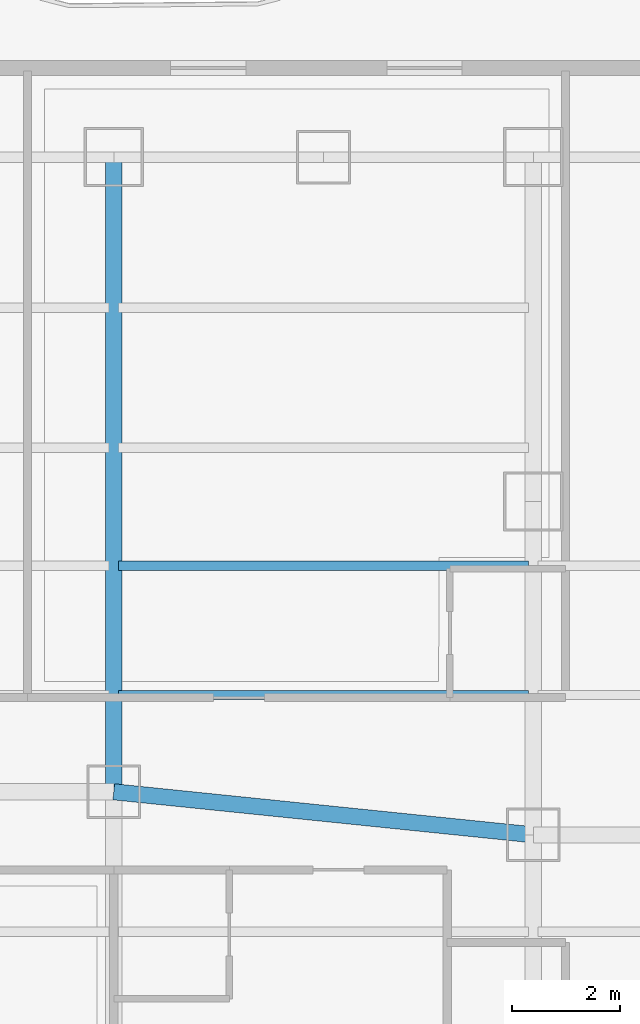
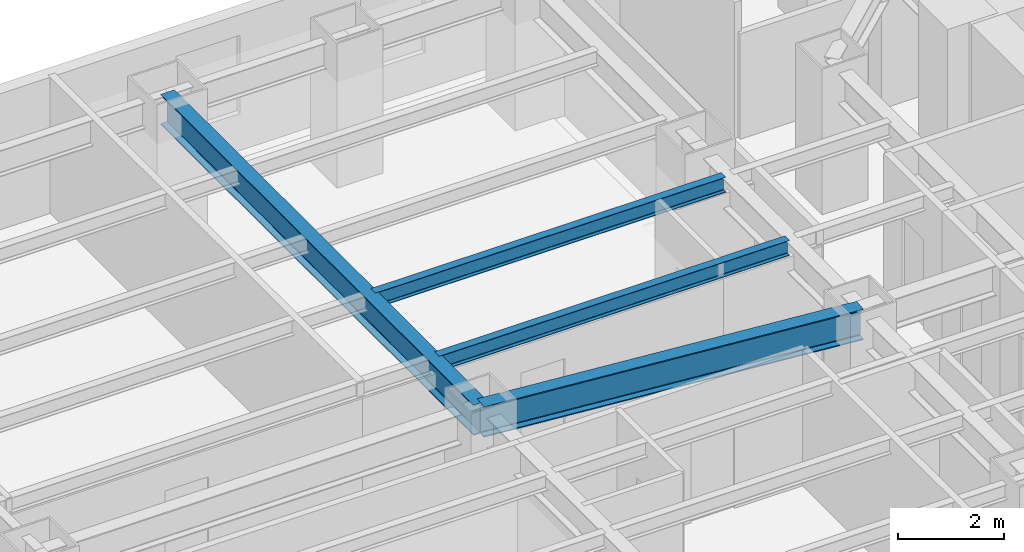
# One storey, part 15 of 37: 4 beams.
"""IFC4 building model written with IfcOpenShell, lengths in metres."""

from ifc_helpers import new_model, si_unit, direction, frame, origin, origin_2d, place, context, subcontext, project, spatial, i_section, extrude, material, material_profile, profile_set, type_object, element, save


model = new_model("IFC4")

# Units and contexts
model_context = context("Model", 3, precision=1e-05, world=origin(), true_north=direction((0.0, 1.0)))
body_context = subcontext(model_context, "Body", "Model", "MODEL_VIEW")
ifc_project = project(units=[si_unit("LENGTHUNIT", "METRE"), si_unit("AREAUNIT", "SQUARE_METRE"), si_unit("VOLUMEUNIT", "CUBIC_METRE"), si_unit("PLANEANGLEUNIT", "RADIAN"), si_unit("MASSUNIT", "GRAM", prefix="KILO")], contexts=[model_context])

# Site, building, storey
site_placement = place(None, origin())
site = spatial("IfcSite", under=ifc_project, at=site_placement, CompositionType="ELEMENT")
building_placement = place(site_placement, origin())
building = spatial("IfcBuilding", under=site, at=building_placement, Name="Hatsunagi Terrace Concourse", CompositionType="ELEMENT")
storey_placement = place(building_placement, frame((0.0, 0.0, 39.949951171875)))
storey = spatial("IfcBuildingStorey", under=building, at=storey_placement, Name="L09", CompositionType="ELEMENT", Elevation=39.949951171875)

# Beams
ifc_material_1 = material(Name="Steel SN490B", Category="steel")
ifc_material_profile_1 = material_profile(ifc_material_1, i_section(OverallWidth=0.300048828125, OverallDepth=0.699951171875, WebThickness=0.012939453125, FlangeThickness=0.02392578125, FilletRadius=0.02197265625, at=origin_2d()), Name="H-700x300x13x24")
ifc_profile_set_1 = profile_set([ifc_material_profile_1], Name="Steel SN490B")
beam_type_1 = type_object("IfcBeamType", Name="HotelFloorGirder_H_700x300", PredefinedType="BEAM", material=ifc_profile_set_1)
beam_1_placement = place(storey_placement, frame((11.39990234375, 36.800048828125, 2.780029296875), z_axis=(0.0, 1.0, 0.0), x_axis=(-1.0, 0.0, 0.0)))
element("IfcBeam", 1, at=beam_1_placement, inside=storey, type_object=beam_type_1, Name="Beam G-04 BM-L09-NS-11-36", PredefinedType="BEAM", context=body_context, shape_type="SweptSolid", body=[
    extrude(i_section(OverallWidth=0.300048828125, OverallDepth=0.699951171875, WebThickness=0.012939453125, FlangeThickness=0.02392578125, FilletRadius=0.02197265625, at=origin_2d()), origin(), (0.0, 0.0, 1.0), 11.800048828125),
])
beam_2_placement = place(storey_placement, frame((11.39990234375, 36.800048828125, 2.780029296875), z_axis=(0.994780871372, -0.102034395927, 0.0), x_axis=(0.102034395927, 0.994780871372, 0.0)))
element("IfcBeam", 2, at=beam_2_placement, inside=storey, type_object=beam_type_1, Name="Beam G-04 BM-L09-EW-2", PredefinedType="BEAM", context=body_context, shape_type="SweptSolid", body=[
    extrude(i_section(OverallWidth=0.300048828125, OverallDepth=0.699951171875, WebThickness=0.012939453125, FlangeThickness=0.02392578125, FilletRadius=0.02197265625, at=origin_2d()), origin(), (0.0, 0.0, 1.0), 7.841064453125),
])
ifc_material_2 = material(Name="Steel SN490B", Category="steel")
ifc_material_profile_2 = material_profile(ifc_material_2, i_section(OverallWidth=0.175048828125, OverallDepth=0.35009765625, WebThickness=0.007080078125, FlangeThickness=0.010986328125, FilletRadius=0.012939453125, at=origin_2d()), Name="H-350x175x7x11")
ifc_profile_set_2 = profile_set([ifc_material_profile_2], Name="Steel SN490B")
beam_type_2 = type_object("IfcBeamType", Name="HotelJoist_H_350x175", PredefinedType="JOIST", material=ifc_profile_set_2)
for number, where, z_axis, x_axis, name in (
    (3, (11.485107421875, 38.60009765625, 2.955078125), (1.0, 0.0, 0.0), (0.0, 1.0, 0.0), "Beam J-02 J-L09-W-11-386"),
    (4, (11.485107421875, 41.0, 2.955078125), (1.0, 0.0, 0.0), (0.0, 1.0, 0.0), "Beam J-02 J-L09-W-11-410"),
):
    element("IfcBeam", number, at=place(storey_placement, frame(where, z_axis=z_axis, x_axis=x_axis)), inside=storey, type_object=beam_type_2, Name=name, PredefinedType="JOIST", context=body_context, shape_type="SweptSolid", body=[
        extrude(i_section(OverallWidth=0.175048828125, OverallDepth=0.35009765625, WebThickness=0.007080078125, FlangeThickness=0.010986328125, FilletRadius=0.012939453125, at=origin_2d()), origin(), (0.0, 0.0, 1.0), 7.6298828125),
    ])

save(model, "model.ifc")
